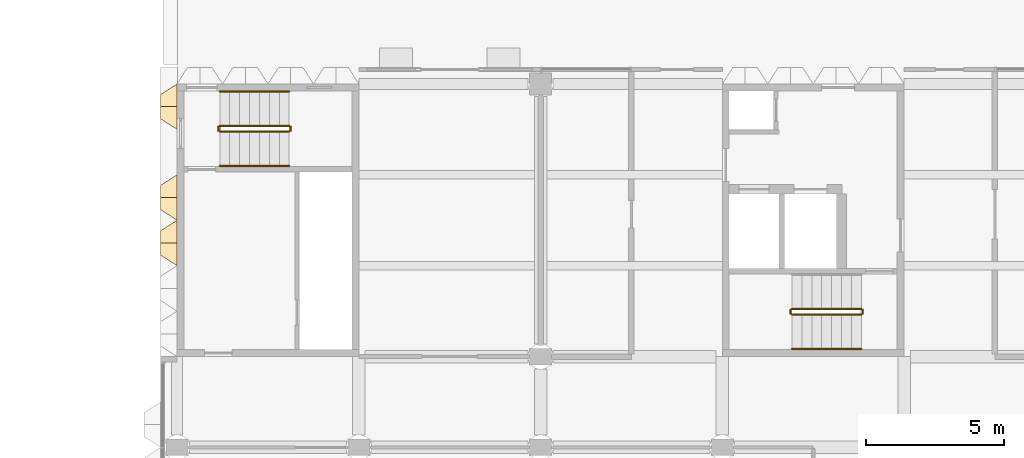
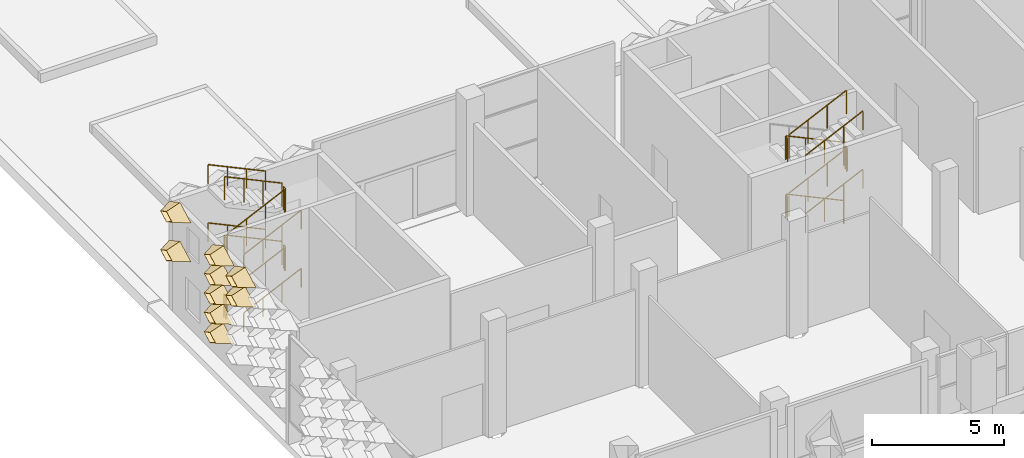
# One storey, part 47 of 85: 21 railings, 9 coverings.
"""IFC4 building model written with IfcOpenShell, lengths in metres."""

from ifc_helpers import new_model, entity, si_unit, direction, frame, origin, origin_2d, place, context, subcontext, project, spatial, circle, extrude, material, layer, layer_set, type_object, element, save


model = new_model("IFC4")

# Units and contexts
model_context = context("Model", 3, precision=1e-05, world=origin(), true_north=direction((0.0, 1.0)))
body_context = subcontext(model_context, "Body", "Model", "MODEL_VIEW")
ifc_project = project(units=[si_unit("LENGTHUNIT", "METRE"), si_unit("AREAUNIT", "SQUARE_METRE"), si_unit("VOLUMEUNIT", "CUBIC_METRE"), si_unit("PLANEANGLEUNIT", "RADIAN"), si_unit("MASSUNIT", "GRAM", prefix="KILO")], contexts=[model_context])

# Site, building, storey
site_placement = place(None, origin())
site = spatial("IfcSite", under=ifc_project, at=site_placement, CompositionType="ELEMENT")
building_placement = place(site_placement, origin())
building = spatial("IfcBuilding", under=site, at=building_placement, Name="Lantern Court Research Institute", CompositionType="ELEMENT")
storey_placement = place(building_placement, origin())
storey = spatial("IfcBuildingStorey", under=building, at=storey_placement, Name="L00", CompositionType="ELEMENT", Elevation=0.0)

# Coverings
ifc_material_1 = material(Name="Anodised aluminium", Category="aluminium")
ifc_layer = layer(ifc_material_1, 0.01611328125)
ifc_layer_set = layer_set([ifc_layer], Name="Anodised aluminium")
covering_type = type_object("IfcCoveringType", Name="Fin cassette 1650 x 900 x 600 aluminium", PredefinedType="CLADDING", material=ifc_layer_set)
covering_1_placement = place(storey_placement, frame((0.0, 18.97509765625, 1.35009765625), z_axis=(-1.0, 0.0, 0.0), x_axis=(0.0, -1.0, 0.0)))
cartesian_point_1 = entity("IfcCartesianPoint", [0.824951171875, 0.0])
cartesian_point_2 = entity("IfcCartesianPoint", [0.79150390625, 0.0])
cartesian_point_3 = entity("IfcCartesianPoint", [0.44189453125, 0.0])
cartesian_point_4 = entity("IfcCartesianPoint", [0.43359375, 0.0])
element("IfcCovering", 1, at=covering_1_placement, inside=storey, type_object=covering_type, Name="Fin cassette V4W-L00 2.12", PredefinedType="CLADDING", context=body_context, shape_type="SweptSolid", body=[
    entity("IfcExtrudedAreaSolidTapered", entity("IfcArbitraryProfileDefWithVoids", "AREA", None, entity("IfcPolyline", [cartesian_point_1, entity("IfcCartesianPoint", [0.0, 0.449951171875]), entity("IfcCartesianPoint", [-0.824951171875, 0.0]), entity("IfcCartesianPoint", [0.0, -0.449951171875]), cartesian_point_1]), [entity("IfcPolyline", [cartesian_point_2, entity("IfcCartesianPoint", [0.0, 0.431884765625]), entity("IfcCartesianPoint", [-0.79150390625, 0.0]), entity("IfcCartesianPoint", [0.0, -0.431884765625]), cartesian_point_2])]), entity("IfcAxis2Placement3D", entity("IfcCartesianPoint", [0.0, 0.0, 0.0])), entity("IfcDirection", [0.0, 0.0, 1.0]), 0.60009765625, entity("IfcArbitraryProfileDefWithVoids", "AREA", None, entity("IfcPolyline", [cartesian_point_3, entity("IfcCartesianPoint", [0.0, 0.240966796875]), entity("IfcCartesianPoint", [-0.44189453125, 0.0]), entity("IfcCartesianPoint", [0.0, -0.240966796875]), cartesian_point_3]), [entity("IfcPolyline", [cartesian_point_4, entity("IfcCartesianPoint", [0.0, 0.236572265625]), entity("IfcCartesianPoint", [-0.43359375, 0.0]), entity("IfcCartesianPoint", [0.0, -0.236572265625]), cartesian_point_4])])),
])
covering_2_placement = place(storey_placement, frame((0.0, 18.97509765625, 2.25), z_axis=(-1.0, 0.0, 0.0), x_axis=(0.0, -1.0, 0.0)))
cartesian_point_5 = entity("IfcCartesianPoint", [0.824951171875, 0.0])
cartesian_point_6 = entity("IfcCartesianPoint", [0.79150390625, 0.0])
cartesian_point_7 = entity("IfcCartesianPoint", [0.44189453125, 0.0])
cartesian_point_8 = entity("IfcCartesianPoint", [0.43359375, 0.0])
element("IfcCovering", 2, at=covering_2_placement, inside=storey, type_object=covering_type, Name="Fin cassette V4W-L00 3.12", PredefinedType="CLADDING", context=body_context, shape_type="SweptSolid", body=[
    entity("IfcExtrudedAreaSolidTapered", entity("IfcArbitraryProfileDefWithVoids", "AREA", None, entity("IfcPolyline", [cartesian_point_5, entity("IfcCartesianPoint", [0.0, 0.449951171875]), entity("IfcCartesianPoint", [-0.824951171875, 0.0]), entity("IfcCartesianPoint", [0.0, -0.449951171875]), cartesian_point_5]), [entity("IfcPolyline", [cartesian_point_6, entity("IfcCartesianPoint", [0.0, 0.431884765625]), entity("IfcCartesianPoint", [-0.79150390625, 0.0]), entity("IfcCartesianPoint", [0.0, -0.431884765625]), cartesian_point_6])]), entity("IfcAxis2Placement3D", entity("IfcCartesianPoint", [0.0, 0.0, 0.0])), entity("IfcDirection", [0.0, 0.0, 1.0]), 0.60009765625, entity("IfcArbitraryProfileDefWithVoids", "AREA", None, entity("IfcPolyline", [cartesian_point_7, entity("IfcCartesianPoint", [0.0, 0.240966796875]), entity("IfcCartesianPoint", [-0.44189453125, 0.0]), entity("IfcCartesianPoint", [0.0, -0.240966796875]), cartesian_point_7]), [entity("IfcPolyline", [cartesian_point_8, entity("IfcCartesianPoint", [0.0, 0.236572265625]), entity("IfcCartesianPoint", [-0.43359375, 0.0]), entity("IfcCartesianPoint", [0.0, -0.236572265625]), cartesian_point_8])])),
])
covering_3_placement = place(storey_placement, frame((0.0, 18.97509765625, 3.14990234375), z_axis=(-1.0, 0.0, 0.0), x_axis=(0.0, -1.0, 0.0)))
cartesian_point_9 = entity("IfcCartesianPoint", [0.824951171875, 0.0])
cartesian_point_10 = entity("IfcCartesianPoint", [0.79150390625, 0.0])
cartesian_point_11 = entity("IfcCartesianPoint", [0.44189453125, 0.0])
cartesian_point_12 = entity("IfcCartesianPoint", [0.43359375, 0.0])
element("IfcCovering", 3, at=covering_3_placement, inside=storey, type_object=covering_type, Name="Fin cassette V4W-L00 4.12", PredefinedType="CLADDING", context=body_context, shape_type="SweptSolid", body=[
    entity("IfcExtrudedAreaSolidTapered", entity("IfcArbitraryProfileDefWithVoids", "AREA", None, entity("IfcPolyline", [cartesian_point_9, entity("IfcCartesianPoint", [0.0, 0.449951171875]), entity("IfcCartesianPoint", [-0.824951171875, 0.0]), entity("IfcCartesianPoint", [0.0, -0.449951171875]), cartesian_point_9]), [entity("IfcPolyline", [cartesian_point_10, entity("IfcCartesianPoint", [0.0, 0.431884765625]), entity("IfcCartesianPoint", [-0.79150390625, 0.0]), entity("IfcCartesianPoint", [0.0, -0.431884765625]), cartesian_point_10])]), entity("IfcAxis2Placement3D", entity("IfcCartesianPoint", [0.0, 0.0, 0.0])), entity("IfcDirection", [0.0, 0.0, 1.0]), 0.60009765625, entity("IfcArbitraryProfileDefWithVoids", "AREA", None, entity("IfcPolyline", [cartesian_point_11, entity("IfcCartesianPoint", [0.0, 0.240966796875]), entity("IfcCartesianPoint", [-0.44189453125, 0.0]), entity("IfcCartesianPoint", [0.0, -0.240966796875]), cartesian_point_11]), [entity("IfcPolyline", [cartesian_point_12, entity("IfcCartesianPoint", [0.0, 0.236572265625]), entity("IfcCartesianPoint", [-0.43359375, 0.0]), entity("IfcCartesianPoint", [0.0, -0.236572265625]), cartesian_point_12])])),
])
covering_4_placement = place(storey_placement, frame((0.0, 22.27490234375, 3.14990234375), z_axis=(-1.0, 0.0, 0.0), x_axis=(0.0, -1.0, 0.0)))
cartesian_point_13 = entity("IfcCartesianPoint", [0.824951171875, 0.0])
cartesian_point_14 = entity("IfcCartesianPoint", [0.79150390625, 0.0])
cartesian_point_15 = entity("IfcCartesianPoint", [0.44189453125, 0.0])
cartesian_point_16 = entity("IfcCartesianPoint", [0.43359375, 0.0])
element("IfcCovering", 4, at=covering_4_placement, inside=storey, type_object=covering_type, Name="Fin cassette V4W-L00 4.14", PredefinedType="CLADDING", context=body_context, shape_type="SweptSolid", body=[
    entity("IfcExtrudedAreaSolidTapered", entity("IfcArbitraryProfileDefWithVoids", "AREA", None, entity("IfcPolyline", [cartesian_point_13, entity("IfcCartesianPoint", [0.0, 0.449951171875]), entity("IfcCartesianPoint", [-0.824951171875, 0.0]), entity("IfcCartesianPoint", [0.0, -0.449951171875]), cartesian_point_13]), [entity("IfcPolyline", [cartesian_point_14, entity("IfcCartesianPoint", [0.0, 0.431884765625]), entity("IfcCartesianPoint", [-0.79150390625, 0.0]), entity("IfcCartesianPoint", [0.0, -0.431884765625]), cartesian_point_14])]), entity("IfcAxis2Placement3D", entity("IfcCartesianPoint", [0.0, 0.0, 0.0])), entity("IfcDirection", [0.0, 0.0, 1.0]), 0.60009765625, entity("IfcArbitraryProfileDefWithVoids", "AREA", None, entity("IfcPolyline", [cartesian_point_15, entity("IfcCartesianPoint", [0.0, 0.240966796875]), entity("IfcCartesianPoint", [-0.44189453125, 0.0]), entity("IfcCartesianPoint", [0.0, -0.240966796875]), cartesian_point_15]), [entity("IfcPolyline", [cartesian_point_16, entity("IfcCartesianPoint", [0.0, 0.236572265625]), entity("IfcCartesianPoint", [-0.43359375, 0.0]), entity("IfcCartesianPoint", [0.0, -0.236572265625]), cartesian_point_16])])),
])
covering_5_placement = place(storey_placement, frame((0.0, 17.324951171875, 4.050048828125), z_axis=(-1.0, 0.0, 0.0), x_axis=(0.0, -1.0, 0.0)))
cartesian_point_17 = entity("IfcCartesianPoint", [0.824951171875, 0.0])
cartesian_point_18 = entity("IfcCartesianPoint", [0.79150390625, 0.0])
cartesian_point_19 = entity("IfcCartesianPoint", [0.44189453125, 0.0])
cartesian_point_20 = entity("IfcCartesianPoint", [0.43359375, 0.0])
element("IfcCovering", 5, at=covering_5_placement, inside=storey, type_object=covering_type, Name="Fin cassette V4W-L00 5.11", PredefinedType="CLADDING", context=body_context, shape_type="SweptSolid", body=[
    entity("IfcExtrudedAreaSolidTapered", entity("IfcArbitraryProfileDefWithVoids", "AREA", None, entity("IfcPolyline", [cartesian_point_17, entity("IfcCartesianPoint", [0.0, 0.449951171875]), entity("IfcCartesianPoint", [-0.824951171875, 0.0]), entity("IfcCartesianPoint", [0.0, -0.449951171875]), cartesian_point_17]), [entity("IfcPolyline", [cartesian_point_18, entity("IfcCartesianPoint", [0.0, 0.431884765625]), entity("IfcCartesianPoint", [-0.79150390625, 0.0]), entity("IfcCartesianPoint", [0.0, -0.431884765625]), cartesian_point_18])]), entity("IfcAxis2Placement3D", entity("IfcCartesianPoint", [0.0, 0.0, 0.0])), entity("IfcDirection", [0.0, 0.0, 1.0]), 0.60009765625, entity("IfcArbitraryProfileDefWithVoids", "AREA", None, entity("IfcPolyline", [cartesian_point_19, entity("IfcCartesianPoint", [0.0, 0.240966796875]), entity("IfcCartesianPoint", [-0.44189453125, 0.0]), entity("IfcCartesianPoint", [0.0, -0.240966796875]), cartesian_point_19]), [entity("IfcPolyline", [cartesian_point_20, entity("IfcCartesianPoint", [0.0, 0.236572265625]), entity("IfcCartesianPoint", [-0.43359375, 0.0]), entity("IfcCartesianPoint", [0.0, -0.236572265625]), cartesian_point_20])])),
])
covering_6_placement = place(storey_placement, frame((0.0, 18.97509765625, 4.050048828125), z_axis=(-1.0, 0.0, 0.0), x_axis=(0.0, -1.0, 0.0)))
cartesian_point_21 = entity("IfcCartesianPoint", [0.824951171875, 0.0])
cartesian_point_22 = entity("IfcCartesianPoint", [0.79150390625, 0.0])
cartesian_point_23 = entity("IfcCartesianPoint", [0.44189453125, 0.0])
cartesian_point_24 = entity("IfcCartesianPoint", [0.43359375, 0.0])
element("IfcCovering", 6, at=covering_6_placement, inside=storey, type_object=covering_type, Name="Fin cassette V4W-L00 5.12", PredefinedType="CLADDING", context=body_context, shape_type="SweptSolid", body=[
    entity("IfcExtrudedAreaSolidTapered", entity("IfcArbitraryProfileDefWithVoids", "AREA", None, entity("IfcPolyline", [cartesian_point_21, entity("IfcCartesianPoint", [0.0, 0.449951171875]), entity("IfcCartesianPoint", [-0.824951171875, 0.0]), entity("IfcCartesianPoint", [0.0, -0.449951171875]), cartesian_point_21]), [entity("IfcPolyline", [cartesian_point_22, entity("IfcCartesianPoint", [0.0, 0.431884765625]), entity("IfcCartesianPoint", [-0.79150390625, 0.0]), entity("IfcCartesianPoint", [0.0, -0.431884765625]), cartesian_point_22])]), entity("IfcAxis2Placement3D", entity("IfcCartesianPoint", [0.0, 0.0, 0.0])), entity("IfcDirection", [0.0, 0.0, 1.0]), 0.60009765625, entity("IfcArbitraryProfileDefWithVoids", "AREA", None, entity("IfcPolyline", [cartesian_point_23, entity("IfcCartesianPoint", [0.0, 0.240966796875]), entity("IfcCartesianPoint", [-0.44189453125, 0.0]), entity("IfcCartesianPoint", [0.0, -0.240966796875]), cartesian_point_23]), [entity("IfcPolyline", [cartesian_point_24, entity("IfcCartesianPoint", [0.0, 0.236572265625]), entity("IfcCartesianPoint", [-0.43359375, 0.0]), entity("IfcCartesianPoint", [0.0, -0.236572265625]), cartesian_point_24])])),
])
covering_7_placement = place(storey_placement, frame((0.0, 17.324951171875, 4.949951171875), z_axis=(-1.0, 0.0, 0.0), x_axis=(0.0, -1.0, 0.0)))
cartesian_point_25 = entity("IfcCartesianPoint", [0.824951171875, 0.0])
cartesian_point_26 = entity("IfcCartesianPoint", [0.79150390625, 0.0])
cartesian_point_27 = entity("IfcCartesianPoint", [0.44189453125, 0.0])
cartesian_point_28 = entity("IfcCartesianPoint", [0.43359375, 0.0])
element("IfcCovering", 7, at=covering_7_placement, inside=storey, type_object=covering_type, Name="Fin cassette V4W-L00 6.11", PredefinedType="CLADDING", context=body_context, shape_type="SweptSolid", body=[
    entity("IfcExtrudedAreaSolidTapered", entity("IfcArbitraryProfileDefWithVoids", "AREA", None, entity("IfcPolyline", [cartesian_point_25, entity("IfcCartesianPoint", [0.0, 0.449951171875]), entity("IfcCartesianPoint", [-0.824951171875, 0.0]), entity("IfcCartesianPoint", [0.0, -0.449951171875]), cartesian_point_25]), [entity("IfcPolyline", [cartesian_point_26, entity("IfcCartesianPoint", [0.0, 0.431884765625]), entity("IfcCartesianPoint", [-0.79150390625, 0.0]), entity("IfcCartesianPoint", [0.0, -0.431884765625]), cartesian_point_26])]), entity("IfcAxis2Placement3D", entity("IfcCartesianPoint", [0.0, 0.0, 0.0])), entity("IfcDirection", [0.0, 0.0, 1.0]), 0.60009765625, entity("IfcArbitraryProfileDefWithVoids", "AREA", None, entity("IfcPolyline", [cartesian_point_27, entity("IfcCartesianPoint", [0.0, 0.240966796875]), entity("IfcCartesianPoint", [-0.44189453125, 0.0]), entity("IfcCartesianPoint", [0.0, -0.240966796875]), cartesian_point_27]), [entity("IfcPolyline", [cartesian_point_28, entity("IfcCartesianPoint", [0.0, 0.236572265625]), entity("IfcCartesianPoint", [-0.43359375, 0.0]), entity("IfcCartesianPoint", [0.0, -0.236572265625]), cartesian_point_28])])),
])
covering_8_placement = place(storey_placement, frame((0.0, 18.97509765625, 4.949951171875), z_axis=(-1.0, 0.0, 0.0), x_axis=(0.0, -1.0, 0.0)))
cartesian_point_29 = entity("IfcCartesianPoint", [0.824951171875, 0.0])
cartesian_point_30 = entity("IfcCartesianPoint", [0.79150390625, 0.0])
cartesian_point_31 = entity("IfcCartesianPoint", [0.44189453125, 0.0])
cartesian_point_32 = entity("IfcCartesianPoint", [0.43359375, 0.0])
element("IfcCovering", 8, at=covering_8_placement, inside=storey, type_object=covering_type, Name="Fin cassette V4W-L00 6.12", PredefinedType="CLADDING", context=body_context, shape_type="SweptSolid", body=[
    entity("IfcExtrudedAreaSolidTapered", entity("IfcArbitraryProfileDefWithVoids", "AREA", None, entity("IfcPolyline", [cartesian_point_29, entity("IfcCartesianPoint", [0.0, 0.449951171875]), entity("IfcCartesianPoint", [-0.824951171875, 0.0]), entity("IfcCartesianPoint", [0.0, -0.449951171875]), cartesian_point_29]), [entity("IfcPolyline", [cartesian_point_30, entity("IfcCartesianPoint", [0.0, 0.431884765625]), entity("IfcCartesianPoint", [-0.79150390625, 0.0]), entity("IfcCartesianPoint", [0.0, -0.431884765625]), cartesian_point_30])]), entity("IfcAxis2Placement3D", entity("IfcCartesianPoint", [0.0, 0.0, 0.0])), entity("IfcDirection", [0.0, 0.0, 1.0]), 0.60009765625, entity("IfcArbitraryProfileDefWithVoids", "AREA", None, entity("IfcPolyline", [cartesian_point_31, entity("IfcCartesianPoint", [0.0, 0.240966796875]), entity("IfcCartesianPoint", [-0.44189453125, 0.0]), entity("IfcCartesianPoint", [0.0, -0.240966796875]), cartesian_point_31]), [entity("IfcPolyline", [cartesian_point_32, entity("IfcCartesianPoint", [0.0, 0.236572265625]), entity("IfcCartesianPoint", [-0.43359375, 0.0]), entity("IfcCartesianPoint", [0.0, -0.236572265625]), cartesian_point_32])])),
])
covering_9_placement = place(storey_placement, frame((0.0, 22.27490234375, 4.949951171875), z_axis=(-1.0, 0.0, 0.0), x_axis=(0.0, -1.0, 0.0)))
cartesian_point_33 = entity("IfcCartesianPoint", [0.824951171875, 0.0])
cartesian_point_34 = entity("IfcCartesianPoint", [0.79150390625, 0.0])
cartesian_point_35 = entity("IfcCartesianPoint", [0.44189453125, 0.0])
cartesian_point_36 = entity("IfcCartesianPoint", [0.43359375, 0.0])
element("IfcCovering", 9, at=covering_9_placement, inside=storey, type_object=covering_type, Name="Fin cassette V4W-L00 6.14", PredefinedType="CLADDING", context=body_context, shape_type="SweptSolid", body=[
    entity("IfcExtrudedAreaSolidTapered", entity("IfcArbitraryProfileDefWithVoids", "AREA", None, entity("IfcPolyline", [cartesian_point_33, entity("IfcCartesianPoint", [0.0, 0.449951171875]), entity("IfcCartesianPoint", [-0.824951171875, 0.0]), entity("IfcCartesianPoint", [0.0, -0.449951171875]), cartesian_point_33]), [entity("IfcPolyline", [cartesian_point_34, entity("IfcCartesianPoint", [0.0, 0.431884765625]), entity("IfcCartesianPoint", [-0.79150390625, 0.0]), entity("IfcCartesianPoint", [0.0, -0.431884765625]), cartesian_point_34])]), entity("IfcAxis2Placement3D", entity("IfcCartesianPoint", [0.0, 0.0, 0.0])), entity("IfcDirection", [0.0, 0.0, 1.0]), 0.60009765625, entity("IfcArbitraryProfileDefWithVoids", "AREA", None, entity("IfcPolyline", [cartesian_point_35, entity("IfcCartesianPoint", [0.0, 0.240966796875]), entity("IfcCartesianPoint", [-0.44189453125, 0.0]), entity("IfcCartesianPoint", [0.0, -0.240966796875]), cartesian_point_35]), [entity("IfcPolyline", [cartesian_point_36, entity("IfcCartesianPoint", [0.0, 0.236572265625]), entity("IfcCartesianPoint", [-0.43359375, 0.0]), entity("IfcCartesianPoint", [0.0, -0.236572265625]), cartesian_point_36])])),
])

# Railings
ifc_material_2 = material(Name="Structural steel S355", Category="steel")
railing_type_1 = type_object("IfcRailingType", Name="Stair guard 1100 steel", PredefinedType="GUARDRAIL", material=ifc_material_2)
railing_1_placement = place(storey_placement, frame((1.550048828125, 21.375, 0.168701171875)))
element("IfcRailing", 10, at=railing_1_placement, inside=storey, type_object=railing_type_1, Name="L00 ST-B1 stair guard 1", PredefinedType="GUARDRAIL", context=body_context, shape_type="SweptSolid", body=[
    extrude(circle(Radius=0.02392578125, at=origin_2d()), frame((0.0, 0.0, 1.076171875), z_axis=(0.905439972488, 0.0, 0.424474329284), x_axis=(0.0, 1.0, 0.0)), (0.0, 0.0, 1.0), 2.783203125),
    extrude(circle(Radius=0.02099609375, at=origin_2d()), origin(), (0.0, 0.0, 1.0), 1.052001953125),
    extrude(circle(Radius=0.02099609375, at=origin_2d()), frame((0.840087890625, 0.0, 0.393798828125)), (0.0, 0.0, 1.0), 1.052001953125),
    extrude(circle(Radius=0.02099609375, at=origin_2d()), frame((1.679931640625, 0.0, 0.78759765625)), (0.0, 0.0, 1.0), 1.052001953125),
    extrude(circle(Radius=0.02099609375, at=origin_2d()), frame((2.52001953125, 0.0, 1.181396484375)), (0.0, 0.0, 1.0), 1.052001953125),
])
railing_2_placement = place(storey_placement, frame((4.1201171875, 21.39990234375, 1.35009765625)))
element("IfcRailing", 11, at=railing_2_placement, inside=storey, type_object=railing_type_1, Name="L00 ST-B1 stair guard 2", PredefinedType="GUARDRAIL", context=body_context, shape_type="SweptSolid", body=[
    extrude(circle(Radius=0.02392578125, at=origin_2d()), frame((0.0, 0.0, 1.076171875), z_axis=(0.0, 1.0, 0.0), x_axis=(-1.0, 0.0, 0.0)), (0.0, 0.0, 1.0), 0.150146484375),
    extrude(circle(Radius=0.02099609375, at=origin_2d()), origin(), (0.0, 0.0, 1.0), 1.052001953125),
    extrude(circle(Radius=0.02099609375, at=origin_2d()), frame((0.0, 0.150146484375, 0.0)), (0.0, 0.0, 1.0), 1.052001953125),
])
railing_3_placement = place(storey_placement, frame((4.070068359375, 21.574951171875, 1.518798828125)))
element("IfcRailing", 12, at=railing_3_placement, inside=storey, type_object=railing_type_1, Name="L00 ST-B1 stair guard 3", PredefinedType="GUARDRAIL", context=body_context, shape_type="SweptSolid", body=[
    extrude(circle(Radius=0.02392578125, at=origin_2d()), frame((0.0, 0.0, 1.076171875), z_axis=(-0.905473684625, 0.0, 0.424402410988), x_axis=(0.0, -1.0, 0.0)), (0.0, 0.0, 1.0), 2.783203125),
    extrude(circle(Radius=0.02099609375, at=origin_2d()), origin(), (0.0, 0.0, 1.0), 1.052001953125),
    extrude(circle(Radius=0.02099609375, at=origin_2d()), frame((-0.840087890625, 0.0, 0.393798828125)), (0.0, 0.0, 1.0), 1.052001953125),
    extrude(circle(Radius=0.02099609375, at=origin_2d()), frame((-1.679931640625, 0.0, 0.787353515625)), (0.0, 0.0, 1.0), 1.052001953125),
    extrude(circle(Radius=0.02099609375, at=origin_2d()), frame((-2.52001953125, 0.0, 1.18115234375)), (0.0, 0.0, 1.0), 1.052001953125),
])
railing_4_placement = place(storey_placement, frame((1.5, 21.39990234375, 2.699951171875)))
element("IfcRailing", 13, at=railing_4_placement, inside=storey, type_object=railing_type_1, Name="L00 ST-B1 stair guard 4", PredefinedType="GUARDRAIL", context=body_context, shape_type="SweptSolid", body=[
    extrude(circle(Radius=0.02392578125, at=origin_2d()), frame((0.0, 0.0, 1.076171875), z_axis=(0.0, 1.0, 0.0), x_axis=(-1.0, 0.0, 0.0)), (0.0, 0.0, 1.0), 0.150146484375),
    extrude(circle(Radius=0.02099609375, at=origin_2d()), origin(), (0.0, 0.0, 1.0), 1.052001953125),
    extrude(circle(Radius=0.02099609375, at=origin_2d()), frame((0.0, 0.150146484375, 0.0)), (0.0, 0.0, 1.0), 1.052001953125),
])
railing_5_placement = place(storey_placement, frame((1.550048828125, 21.375, 2.86865234375)))
element("IfcRailing", 14, at=railing_5_placement, inside=storey, type_object=railing_type_1, Name="L00 ST-B1 stair guard 5", PredefinedType="GUARDRAIL", context=body_context, shape_type="SweptSolid", body=[
    extrude(circle(Radius=0.02392578125, at=origin_2d()), frame((0.0, 0.0, 1.076171875), z_axis=(0.905439972488, 0.0, 0.424474329284), x_axis=(0.0, 1.0, 0.0)), (0.0, 0.0, 1.0), 2.783203125),
    extrude(circle(Radius=0.02099609375, at=origin_2d()), origin(), (0.0, 0.0, 1.0), 1.052001953125),
    extrude(circle(Radius=0.02099609375, at=origin_2d()), frame((0.840087890625, 0.0, 0.393798828125)), (0.0, 0.0, 1.0), 1.052001953125),
    extrude(circle(Radius=0.02099609375, at=origin_2d()), frame((1.679931640625, 0.0, 0.78759765625)), (0.0, 0.0, 1.0), 1.052001953125),
    extrude(circle(Radius=0.02099609375, at=origin_2d()), frame((2.52001953125, 0.0, 1.181396484375)), (0.0, 0.0, 1.0), 1.052001953125),
])
railing_6_placement = place(storey_placement, frame((4.1201171875, 21.39990234375, 4.050048828125)))
element("IfcRailing", 15, at=railing_6_placement, inside=storey, type_object=railing_type_1, Name="L00 ST-B1 stair guard 6", PredefinedType="GUARDRAIL", context=body_context, shape_type="SweptSolid", body=[
    extrude(circle(Radius=0.02392578125, at=origin_2d()), frame((0.0, 0.0, 1.076171875), z_axis=(0.0, 1.0, 0.0), x_axis=(-1.0, 0.0, 0.0)), (0.0, 0.0, 1.0), 0.150146484375),
    extrude(circle(Radius=0.02099609375, at=origin_2d()), origin(), (0.0, 0.0, 1.0), 1.052001953125),
    extrude(circle(Radius=0.02099609375, at=origin_2d()), frame((0.0, 0.150146484375, 0.0)), (0.0, 0.0, 1.0), 1.052001953125),
])
railing_7_placement = place(storey_placement, frame((4.070068359375, 21.574951171875, 4.21875)))
element("IfcRailing", 16, at=railing_7_placement, inside=storey, type_object=railing_type_1, Name="L00 ST-B1 stair guard 7", PredefinedType="GUARDRAIL", context=body_context, shape_type="SweptSolid", body=[
    extrude(circle(Radius=0.02392578125, at=origin_2d()), frame((0.0, 0.0, 1.076171875), z_axis=(-0.905473684625, 0.0, 0.424402410988), x_axis=(0.0, -1.0, 0.0)), (0.0, 0.0, 1.0), 2.783203125),
    extrude(circle(Radius=0.02099609375, at=origin_2d()), origin(), (0.0, 0.0, 1.0), 1.052001953125),
    extrude(circle(Radius=0.02099609375, at=origin_2d()), frame((-0.840087890625, 0.0, 0.393798828125)), (0.0, 0.0, 1.0), 1.052001953125),
    extrude(circle(Radius=0.02099609375, at=origin_2d()), frame((-1.679931640625, 0.0, 0.787353515625)), (0.0, 0.0, 1.0), 1.052001953125),
    extrude(circle(Radius=0.02099609375, at=origin_2d()), frame((-2.52001953125, 0.0, 1.18115234375)), (0.0, 0.0, 1.0), 1.052001953125),
])
railing_8_placement = place(storey_placement, frame((1.5, 21.39990234375, 0.0)))
element("IfcRailing", 17, at=railing_8_placement, inside=storey, type_object=railing_type_1, Name="L00 ST-B1 stair guard 8", PredefinedType="GUARDRAIL", context=body_context, shape_type="SweptSolid", body=[
    extrude(circle(Radius=0.02392578125, at=origin_2d()), frame((0.0, 0.0, 1.076171875), z_axis=(0.0, 1.0, 0.0), x_axis=(-1.0, 0.0, 0.0)), (0.0, 0.0, 1.0), 0.150146484375),
    extrude(circle(Radius=0.02099609375, at=origin_2d()), origin(), (0.0, 0.0, 1.0), 1.052001953125),
    extrude(circle(Radius=0.02099609375, at=origin_2d()), frame((0.0, 0.150146484375, 0.0)), (0.0, 0.0, 1.0), 1.052001953125),
])
railing_9_placement = place(storey_placement, frame((24.85009765625, 14.925048828125, 0.168701171875)))
element("IfcRailing", 18, at=railing_9_placement, inside=storey, type_object=railing_type_1, Name="L00 ST-B2 stair guard 1", PredefinedType="GUARDRAIL", context=body_context, shape_type="SweptSolid", body=[
    extrude(circle(Radius=0.02392578125, at=origin_2d()), frame((0.0, 0.0, 1.076171875), z_axis=(-0.905439972488, 0.0, 0.424474329284), x_axis=(0.0, -1.0, 0.0)), (0.0, 0.0, 1.0), 2.783203125),
    extrude(circle(Radius=0.02099609375, at=origin_2d()), origin(), (0.0, 0.0, 1.0), 1.052001953125),
    extrude(circle(Radius=0.02099609375, at=origin_2d()), frame((-0.840087890625, 0.0, 0.393798828125)), (0.0, 0.0, 1.0), 1.052001953125),
    extrude(circle(Radius=0.02099609375, at=origin_2d()), frame((-1.679931640625, 0.0, 0.78759765625)), (0.0, 0.0, 1.0), 1.052001953125),
    extrude(circle(Radius=0.02099609375, at=origin_2d()), frame((-2.52001953125, 0.0, 1.181396484375)), (0.0, 0.0, 1.0), 1.052001953125),
])
railing_10_placement = place(storey_placement, frame((22.280029296875, 14.89990234375, 1.35009765625)))
element("IfcRailing", 19, at=railing_10_placement, inside=storey, type_object=railing_type_1, Name="L00 ST-B2 stair guard 2", PredefinedType="GUARDRAIL", context=body_context, shape_type="SweptSolid", body=[
    extrude(circle(Radius=0.02392578125, at=origin_2d()), frame((0.0, 0.0, 1.076171875), z_axis=(0.0, -1.0, 0.0), x_axis=(1.0, 0.0, 0.0)), (0.0, 0.0, 1.0), 0.14990234375),
    extrude(circle(Radius=0.02099609375, at=origin_2d()), origin(), (0.0, 0.0, 1.0), 1.052001953125),
    extrude(circle(Radius=0.02099609375, at=origin_2d()), frame((0.0, -0.14990234375, 0.0)), (0.0, 0.0, 1.0), 1.052001953125),
])
railing_11_placement = place(storey_placement, frame((22.330078125, 14.72509765625, 1.518798828125)))
element("IfcRailing", 20, at=railing_11_placement, inside=storey, type_object=railing_type_1, Name="L00 ST-B2 stair guard 3", PredefinedType="GUARDRAIL", context=body_context, shape_type="SweptSolid", body=[
    extrude(circle(Radius=0.02392578125, at=origin_2d()), frame((0.0, 0.0, 1.076171875), z_axis=(0.905473684625, 0.0, 0.424402410988), x_axis=(0.0, 1.0, 0.0)), (0.0, 0.0, 1.0), 2.783203125),
    extrude(circle(Radius=0.02099609375, at=origin_2d()), origin(), (0.0, 0.0, 1.0), 1.052001953125),
    extrude(circle(Radius=0.02099609375, at=origin_2d()), frame((0.840087890625, 0.0, 0.393798828125)), (0.0, 0.0, 1.0), 1.052001953125),
    extrude(circle(Radius=0.02099609375, at=origin_2d()), frame((1.679931640625, 0.0, 0.787353515625)), (0.0, 0.0, 1.0), 1.052001953125),
    extrude(circle(Radius=0.02099609375, at=origin_2d()), frame((2.52001953125, 0.0, 1.18115234375)), (0.0, 0.0, 1.0), 1.052001953125),
])
railing_12_placement = place(storey_placement, frame((24.89990234375, 14.89990234375, 2.699951171875)))
element("IfcRailing", 21, at=railing_12_placement, inside=storey, type_object=railing_type_1, Name="L00 ST-B2 stair guard 4", PredefinedType="GUARDRAIL", context=body_context, shape_type="SweptSolid", body=[
    extrude(circle(Radius=0.02392578125, at=origin_2d()), frame((0.0, 0.0, 1.076171875), z_axis=(0.0, -1.0, 0.0), x_axis=(1.0, 0.0, 0.0)), (0.0, 0.0, 1.0), 0.14990234375),
    extrude(circle(Radius=0.02099609375, at=origin_2d()), origin(), (0.0, 0.0, 1.0), 1.052001953125),
    extrude(circle(Radius=0.02099609375, at=origin_2d()), frame((0.0, -0.14990234375, 0.0)), (0.0, 0.0, 1.0), 1.052001953125),
])
railing_13_placement = place(storey_placement, frame((24.85009765625, 14.925048828125, 2.86865234375)))
element("IfcRailing", 22, at=railing_13_placement, inside=storey, type_object=railing_type_1, Name="L00 ST-B2 stair guard 5", PredefinedType="GUARDRAIL", context=body_context, shape_type="SweptSolid", body=[
    extrude(circle(Radius=0.02392578125, at=origin_2d()), frame((0.0, 0.0, 1.076171875), z_axis=(-0.905439972488, 0.0, 0.424474329284), x_axis=(0.0, -1.0, 0.0)), (0.0, 0.0, 1.0), 2.783203125),
    extrude(circle(Radius=0.02099609375, at=origin_2d()), origin(), (0.0, 0.0, 1.0), 1.052001953125),
    extrude(circle(Radius=0.02099609375, at=origin_2d()), frame((-0.840087890625, 0.0, 0.393798828125)), (0.0, 0.0, 1.0), 1.052001953125),
    extrude(circle(Radius=0.02099609375, at=origin_2d()), frame((-1.679931640625, 0.0, 0.78759765625)), (0.0, 0.0, 1.0), 1.052001953125),
    extrude(circle(Radius=0.02099609375, at=origin_2d()), frame((-2.52001953125, 0.0, 1.181396484375)), (0.0, 0.0, 1.0), 1.052001953125),
])
railing_14_placement = place(storey_placement, frame((22.280029296875, 14.89990234375, 4.050048828125)))
element("IfcRailing", 23, at=railing_14_placement, inside=storey, type_object=railing_type_1, Name="L00 ST-B2 stair guard 6", PredefinedType="GUARDRAIL", context=body_context, shape_type="SweptSolid", body=[
    extrude(circle(Radius=0.02392578125, at=origin_2d()), frame((0.0, 0.0, 1.076171875), z_axis=(0.0, -1.0, 0.0), x_axis=(1.0, 0.0, 0.0)), (0.0, 0.0, 1.0), 0.14990234375),
    extrude(circle(Radius=0.02099609375, at=origin_2d()), origin(), (0.0, 0.0, 1.0), 1.052001953125),
    extrude(circle(Radius=0.02099609375, at=origin_2d()), frame((0.0, -0.14990234375, 0.0)), (0.0, 0.0, 1.0), 1.052001953125),
])
railing_15_placement = place(storey_placement, frame((22.330078125, 14.72509765625, 4.21875)))
element("IfcRailing", 24, at=railing_15_placement, inside=storey, type_object=railing_type_1, Name="L00 ST-B2 stair guard 7", PredefinedType="GUARDRAIL", context=body_context, shape_type="SweptSolid", body=[
    extrude(circle(Radius=0.02392578125, at=origin_2d()), frame((0.0, 0.0, 1.076171875), z_axis=(0.905473684625, 0.0, 0.424402410988), x_axis=(0.0, 1.0, 0.0)), (0.0, 0.0, 1.0), 2.783203125),
    extrude(circle(Radius=0.02099609375, at=origin_2d()), origin(), (0.0, 0.0, 1.0), 1.052001953125),
    extrude(circle(Radius=0.02099609375, at=origin_2d()), frame((0.840087890625, 0.0, 0.393798828125)), (0.0, 0.0, 1.0), 1.052001953125),
    extrude(circle(Radius=0.02099609375, at=origin_2d()), frame((1.679931640625, 0.0, 0.787353515625)), (0.0, 0.0, 1.0), 1.052001953125),
    extrude(circle(Radius=0.02099609375, at=origin_2d()), frame((2.52001953125, 0.0, 1.18115234375)), (0.0, 0.0, 1.0), 1.052001953125),
])
ifc_material_3 = material(Name="Stainless steel 316", Category="steel")
railing_type_2 = type_object("IfcRailingType", Name="Stair handrail 900 steel", PredefinedType="HANDRAIL", material=ifc_material_3)
railing_16_placement = place(storey_placement, frame((1.550048828125, 20.125, 0.168701171875)))
element("IfcRailing", 25, at=railing_16_placement, inside=storey, type_object=railing_type_2, Name="L00 ST-B1 stair handrail 1", PredefinedType="HANDRAIL", context=body_context, shape_type="SweptSolid", body=[
    extrude(circle(Radius=0.02392578125, at=origin_2d()), frame((0.0, 0.0, 0.8759765625), z_axis=(0.905439972488, 0.0, 0.424474329284), x_axis=(0.0, 1.0, 0.0)), (0.0, 0.0, 1.0), 2.783203125),
    extrude(circle(Radius=0.02099609375, at=origin_2d()), origin(), (0.0, 0.0, 1.0), 0.851806640625),
    extrude(circle(Radius=0.02099609375, at=origin_2d()), frame((0.840087890625, 0.0, 0.393798828125)), (0.0, 0.0, 1.0), 0.851806640625),
    extrude(circle(Radius=0.02099609375, at=origin_2d()), frame((1.679931640625, 0.0, 0.78759765625)), (0.0, 0.0, 1.0), 0.851806640625),
    extrude(circle(Radius=0.02099609375, at=origin_2d()), frame((2.52001953125, 0.0, 1.181396484375)), (0.0, 0.0, 1.0), 0.851806640625),
])
railing_17_placement = place(storey_placement, frame((4.070068359375, 22.824951171875, 1.518798828125)))
element("IfcRailing", 26, at=railing_17_placement, inside=storey, type_object=railing_type_2, Name="L00 ST-B1 stair handrail 2", PredefinedType="HANDRAIL", context=body_context, shape_type="SweptSolid", body=[
    extrude(circle(Radius=0.02392578125, at=origin_2d()), frame((0.0, 0.0, 0.8759765625), z_axis=(-0.905473684625, 0.0, 0.424402410988), x_axis=(0.0, -1.0, 0.0)), (0.0, 0.0, 1.0), 2.783203125),
    extrude(circle(Radius=0.02099609375, at=origin_2d()), origin(), (0.0, 0.0, 1.0), 0.851806640625),
    extrude(circle(Radius=0.02099609375, at=origin_2d()), frame((-0.840087890625, 0.0, 0.393798828125)), (0.0, 0.0, 1.0), 0.851806640625),
    extrude(circle(Radius=0.02099609375, at=origin_2d()), frame((-1.679931640625, 0.0, 0.787353515625)), (0.0, 0.0, 1.0), 0.851806640625),
    extrude(circle(Radius=0.02099609375, at=origin_2d()), frame((-2.52001953125, 0.0, 1.18115234375)), (0.0, 0.0, 1.0), 0.851806640625),
])
railing_18_placement = place(storey_placement, frame((1.550048828125, 20.125, 2.86865234375)))
element("IfcRailing", 27, at=railing_18_placement, inside=storey, type_object=railing_type_2, Name="L00 ST-B1 stair handrail 3", PredefinedType="HANDRAIL", context=body_context, shape_type="SweptSolid", body=[
    extrude(circle(Radius=0.02392578125, at=origin_2d()), frame((0.0, 0.0, 0.8759765625), z_axis=(0.905439972488, 0.0, 0.424474329284), x_axis=(0.0, 1.0, 0.0)), (0.0, 0.0, 1.0), 2.783203125),
    extrude(circle(Radius=0.02099609375, at=origin_2d()), origin(), (0.0, 0.0, 1.0), 0.851806640625),
    extrude(circle(Radius=0.02099609375, at=origin_2d()), frame((0.840087890625, 0.0, 0.393798828125)), (0.0, 0.0, 1.0), 0.851806640625),
    extrude(circle(Radius=0.02099609375, at=origin_2d()), frame((1.679931640625, 0.0, 0.78759765625)), (0.0, 0.0, 1.0), 0.851806640625),
    extrude(circle(Radius=0.02099609375, at=origin_2d()), frame((2.52001953125, 0.0, 1.181396484375)), (0.0, 0.0, 1.0), 0.851806640625),
])
railing_19_placement = place(storey_placement, frame((4.070068359375, 22.824951171875, 4.21875)))
element("IfcRailing", 28, at=railing_19_placement, inside=storey, type_object=railing_type_2, Name="L00 ST-B1 stair handrail 4", PredefinedType="HANDRAIL", context=body_context, shape_type="SweptSolid", body=[
    extrude(circle(Radius=0.02392578125, at=origin_2d()), frame((0.0, 0.0, 0.8759765625), z_axis=(-0.905473684625, 0.0, 0.424402410988), x_axis=(0.0, -1.0, 0.0)), (0.0, 0.0, 1.0), 2.783203125),
    extrude(circle(Radius=0.02099609375, at=origin_2d()), origin(), (0.0, 0.0, 1.0), 0.851806640625),
    extrude(circle(Radius=0.02099609375, at=origin_2d()), frame((-0.840087890625, 0.0, 0.393798828125)), (0.0, 0.0, 1.0), 0.851806640625),
    extrude(circle(Radius=0.02099609375, at=origin_2d()), frame((-1.679931640625, 0.0, 0.787353515625)), (0.0, 0.0, 1.0), 0.851806640625),
    extrude(circle(Radius=0.02099609375, at=origin_2d()), frame((-2.52001953125, 0.0, 1.18115234375)), (0.0, 0.0, 1.0), 0.851806640625),
])
for number, where, name in (
    (29, (22.330078125, 13.47509765625, 1.518798828125), "L00 ST-B2 stair handrail 2"),
    (30, (22.330078125, 13.47509765625, 4.21875), "L00 ST-B2 stair handrail 4"),
):
    element("IfcRailing", number, at=place(storey_placement, frame(where)), inside=storey, type_object=railing_type_2, Name=name, PredefinedType="HANDRAIL", context=body_context, shape_type="SweptSolid", body=[
        extrude(circle(Radius=0.02392578125, at=origin_2d()), frame((0.0, 0.0, 0.8759765625), z_axis=(0.905473684625, 0.0, 0.424402410988), x_axis=(0.0, 1.0, 0.0)), (0.0, 0.0, 1.0), 2.783203125),
        extrude(circle(Radius=0.02099609375, at=origin_2d()), origin(), (0.0, 0.0, 1.0), 0.851806640625),
        extrude(circle(Radius=0.02099609375, at=origin_2d()), frame((0.840087890625, 0.0, 0.393798828125)), (0.0, 0.0, 1.0), 0.851806640625),
        extrude(circle(Radius=0.02099609375, at=origin_2d()), frame((1.679931640625, 0.0, 0.787353515625)), (0.0, 0.0, 1.0), 0.851806640625),
        extrude(circle(Radius=0.02099609375, at=origin_2d()), frame((2.52001953125, 0.0, 1.18115234375)), (0.0, 0.0, 1.0), 0.851806640625),
    ])

save(model, "model.ifc")
